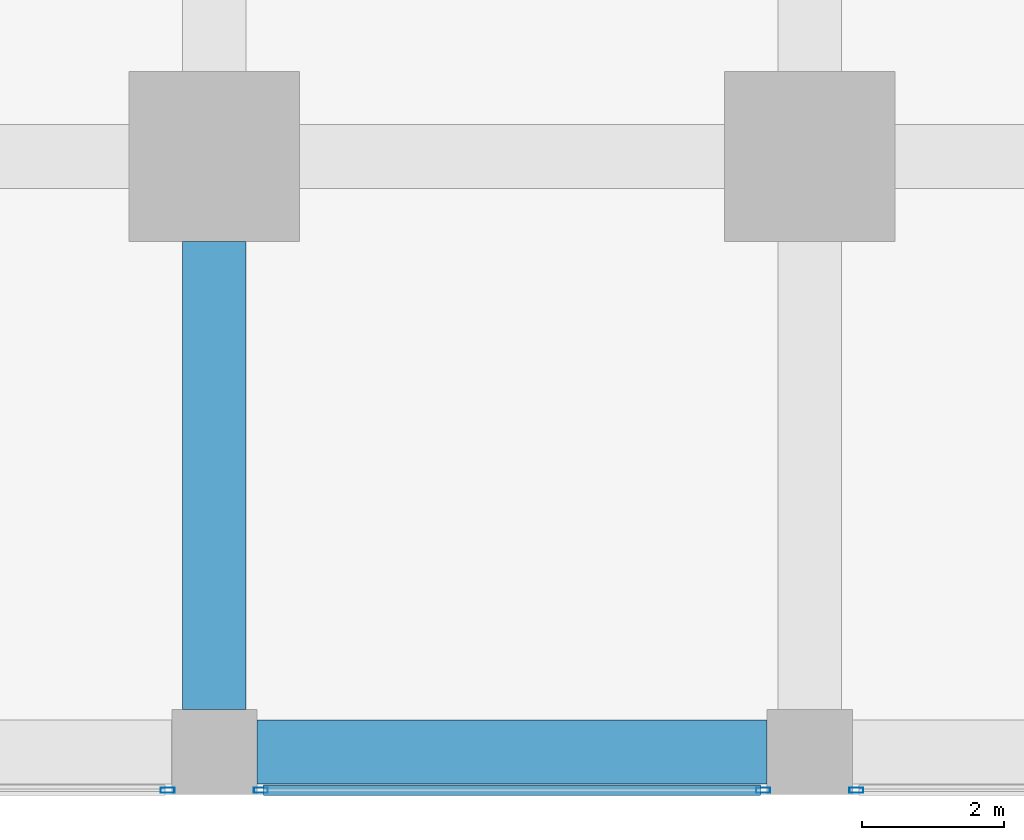
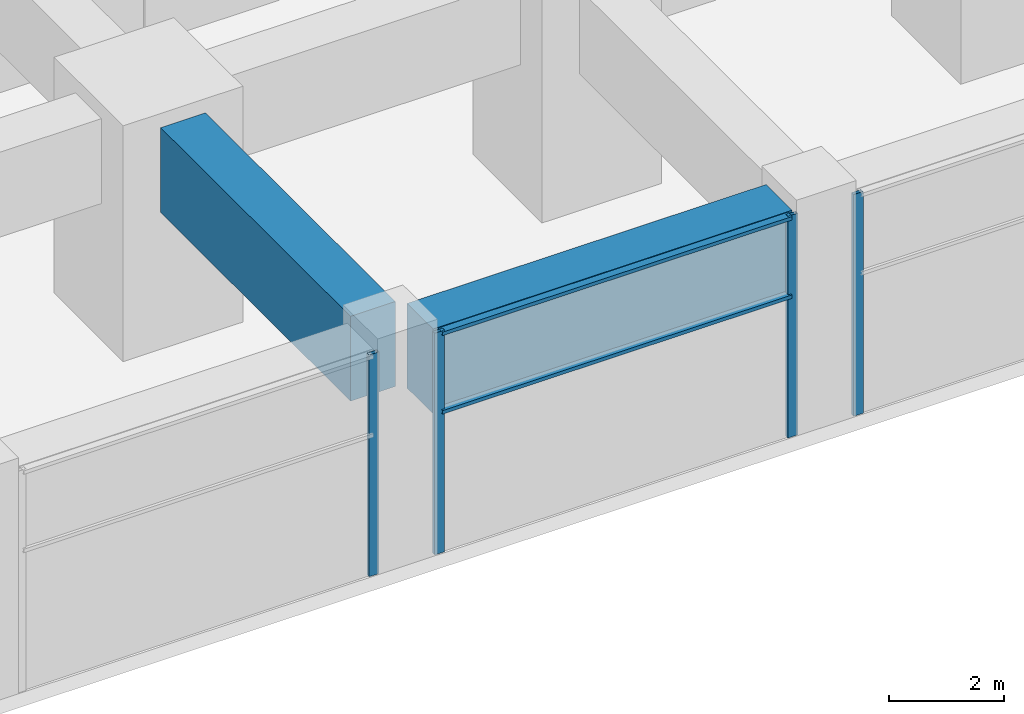
# One storey, part 13 of 48: 6 members, 2 beams, 3 elements without a shape of their own.
"""IFC4 building model written with IfcOpenShell, lengths in metres."""

from ifc_helpers import new_model, si_unit, direction, frame, origin, origin_2d, place, context, subcontext, project, spatial, rectangle, hollow_rectangle, extrude, material, material_profile, profile_set, type_object, element, aggregate, save


model = new_model("IFC4")

# Units and contexts
model_context = context("Model", 3, precision=1e-05, world=origin(), true_north=direction((0.0, 1.0)))
body_context = subcontext(model_context, "Body", "Model", "MODEL_VIEW")
ifc_project = project(units=[si_unit("LENGTHUNIT", "METRE"), si_unit("AREAUNIT", "SQUARE_METRE"), si_unit("VOLUMEUNIT", "CUBIC_METRE"), si_unit("PLANEANGLEUNIT", "RADIAN"), si_unit("MASSUNIT", "GRAM", prefix="KILO")], contexts=[model_context])

# Site, building, storey
site_placement = place(None, origin())
site = spatial("IfcSite", under=ifc_project, at=site_placement, CompositionType="ELEMENT")
building_placement = place(site_placement, origin())
building = spatial("IfcBuilding", under=site, at=building_placement, Name="Rekha Terrace Tower", CompositionType="ELEMENT")
storey_placement = place(building_placement, frame((0.0, 0.0, 15.39990234375)))
storey = spatial("IfcBuildingStorey", under=building, at=storey_placement, Name="L03", CompositionType="ELEMENT", Elevation=15.39990234375)

# Curtain wall, member
ifc_material_1 = material(Name="Aluminium framing", Category="aluminium")
curtain_wall_type = type_object("IfcCurtainWallType", Name="CW4 podium shopfront glazing", PredefinedType="USERDEFINED", material=ifc_material_1)
curtain_wall_1_placement = place(storey_placement, origin())
curtain_wall_1 = element("IfcCurtainWall", 1, at=curtain_wall_1_placement, inside=storey, type_object=curtain_wall_type, Name="CW4 shopfront curtain wall", ObjectType="SHOPFRONT CURTAIN WALL", PredefinedType="USERDEFINED")
ifc_material_2 = material(Name="Aluminium mullion section", Category="aluminium")
ifc_material_profile_1 = material_profile(ifc_material_2, hollow_rectangle(XDim=0.074951171875, YDim=0.199951171875, WallThickness=0.00390625, at=origin_2d()), Name="AL RHS 75x200")
ifc_profile_set_1 = profile_set([ifc_material_profile_1], Name="Aluminium mullion section")
member_type_1 = type_object("IfcMemberType", Name="CW4 mullion RHS 75 x 200", PredefinedType="MULLION", material=ifc_profile_set_1)
member_1_placement = place(storey_placement, frame((32.9423828125, -0.5400390625, 0.0), z_axis=(0.0, 0.0, 1.0), x_axis=(0.0, 1.0, 0.0)))
member_1 = element("IfcMember", 2, at=member_1_placement, type_object=member_type_1, Name="CW4 mullion 2", PredefinedType="MULLION", context=body_context, shape_type="SweptSolid", body=[
    extrude(hollow_rectangle(XDim=0.074951171875, YDim=0.199951171875, WallThickness=0.00390625, at=origin_2d()), origin(), (0.0, 0.0, 1.0), 4.7001953125),
])
aggregate(curtain_wall_1, [member_1])

# Curtain wall, members
curtain_wall_2_placement = place(storey_placement, origin())
curtain_wall_2 = element("IfcCurtainWall", 3, at=curtain_wall_2_placement, inside=storey, type_object=curtain_wall_type, Name="CW4 shopfront curtain wall", ObjectType="SHOPFRONT CURTAIN WALL", PredefinedType="USERDEFINED")
member_2_placement = place(storey_placement, frame((34.257568359375, -0.5400390625, 0.0), z_axis=(0.0, 0.0, 1.0), x_axis=(0.0, 1.0, 0.0)))
member_2 = element("IfcMember", 4, at=member_2_placement, type_object=member_type_1, Name="CW4 mullion 1", PredefinedType="MULLION", context=body_context, shape_type="SweptSolid", body=[
    extrude(hollow_rectangle(XDim=0.074951171875, YDim=0.199951171875, WallThickness=0.00390625, at=origin_2d()), origin(), (0.0, 0.0, 1.0), 4.7001953125),
])
member_3_placement = place(storey_placement, frame((41.342529296875, -0.5400390625, 0.0), z_axis=(0.0, 0.0, 1.0), x_axis=(0.0, 1.0, 0.0)))
member_3 = element("IfcMember", 5, at=member_3_placement, type_object=member_type_1, Name="CW4 mullion 2", PredefinedType="MULLION", context=body_context, shape_type="SweptSolid", body=[
    extrude(hollow_rectangle(XDim=0.074951171875, YDim=0.199951171875, WallThickness=0.00390625, at=origin_2d()), origin(), (0.0, 0.0, 1.0), 4.7001953125),
])

# Curtain wall, member
curtain_wall_3_placement = place(storey_placement, origin())
curtain_wall_3 = element("IfcCurtainWall", 6, at=curtain_wall_3_placement, inside=storey, type_object=curtain_wall_type, Name="CW4 shopfront curtain wall", ObjectType="SHOPFRONT CURTAIN WALL", PredefinedType="USERDEFINED")
member_4_placement = place(storey_placement, frame((42.657470703125, -0.5400390625, 0.0), z_axis=(0.0, 0.0, 1.0), x_axis=(0.0, 1.0, 0.0)))
member_4 = element("IfcMember", 7, at=member_4_placement, type_object=member_type_1, Name="CW4 mullion 1", PredefinedType="MULLION", context=body_context, shape_type="SweptSolid", body=[
    extrude(hollow_rectangle(XDim=0.074951171875, YDim=0.199951171875, WallThickness=0.00390625, at=origin_2d()), origin(), (0.0, 0.0, 1.0), 4.7001953125),
])
aggregate(curtain_wall_3, [member_4])

# Member
ifc_material_3 = material(Name="Aluminium transom section", Category="aluminium")
ifc_material_profile_2 = material_profile(ifc_material_3, hollow_rectangle(XDim=0.14990234375, YDim=0.074951171875, WallThickness=0.0029296875, at=origin_2d()), Name="AL RHS 150x75")
ifc_profile_set_2 = profile_set([ifc_material_profile_2], Name="Aluminium transom section")
member_type_2 = type_object("IfcMemberType", Name="CW4 transom RHS 75 x 150", PredefinedType="USERDEFINED", material=ifc_profile_set_2)
member_5_placement = place(storey_placement, frame((34.294921875, -0.5400390625, 3.0), z_axis=(1.0, 0.0, 0.0), x_axis=(0.0, 1.0, 0.0)))
member_5 = element("IfcMember", 8, at=member_5_placement, type_object=member_type_2, Name="CW4 transom 1.2", ObjectType="TRANSOM", PredefinedType="USERDEFINED", context=body_context, shape_type="SweptSolid", body=[
    extrude(hollow_rectangle(XDim=0.14990234375, YDim=0.074951171875, WallThickness=0.0029296875, at=origin_2d()), origin(), (0.0, 0.0, 1.0), 7.010009765625),
])

member_6_placement = place(storey_placement, frame((34.294921875, -0.5400390625, 4.66259765625), z_axis=(1.0, 0.0, 0.0), x_axis=(0.0, 1.0, 0.0)))
member_6 = element("IfcMember", 9, at=member_6_placement, type_object=member_type_2, Name="CW4 transom 1.3", ObjectType="TRANSOM", PredefinedType="USERDEFINED", context=body_context, shape_type="SweptSolid", body=[
    extrude(hollow_rectangle(XDim=0.14990234375, YDim=0.074951171875, WallThickness=0.0029296875, at=origin_2d()), origin(), (0.0, 0.0, 1.0), 7.010009765625),
])

aggregate(curtain_wall_2, [member_2, member_3, member_5, member_6])

# Beams
ifc_material_4 = material(Name="Concrete M60", Category="concrete")
ifc_material_profile_3 = material_profile(ifc_material_4, rectangle(XDim=0.89990234375, YDim=1.800048828125, at=origin_2d()), Name="RC 900x1800")
ifc_profile_set_3 = profile_set([ifc_material_profile_3], Name="Concrete M60")
beam_type = type_object("IfcBeamType", Name="G1 900x1800 podium floor beam", PredefinedType="BEAM", material=ifc_profile_set_3)
beam_1_placement = place(storey_placement, frame((34.199951171875, 0.0, 3.800048828125), z_axis=(1.0, 0.0, 0.0), x_axis=(0.0, 1.0, 0.0)))
element("IfcBeam", 10, at=beam_1_placement, inside=storey, type_object=beam_type, Name="Beam G1 5A-6A under L04", PredefinedType="BEAM", context=body_context, shape_type="SweptSolid", body=[
    extrude(rectangle(XDim=0.89990234375, YDim=1.800048828125, at=origin_2d()), origin(), (0.0, 0.0, 1.0), 7.199951171875),
])
beam_2_placement = place(storey_placement, frame((33.60009765625, 0.60009765625, 3.800048828125), z_axis=(0.0, 1.0, 0.0), x_axis=(-1.0, 0.0, 0.0)))
element("IfcBeam", 11, at=beam_2_placement, inside=storey, type_object=beam_type, Name="Beam G1 5A-5B under L04", PredefinedType="BEAM", context=body_context, shape_type="SweptSolid", body=[
    extrude(rectangle(XDim=0.89990234375, YDim=1.800048828125, at=origin_2d()), origin(), (0.0, 0.0, 1.0), 6.599853515625),
])

save(model, "model.ifc")
